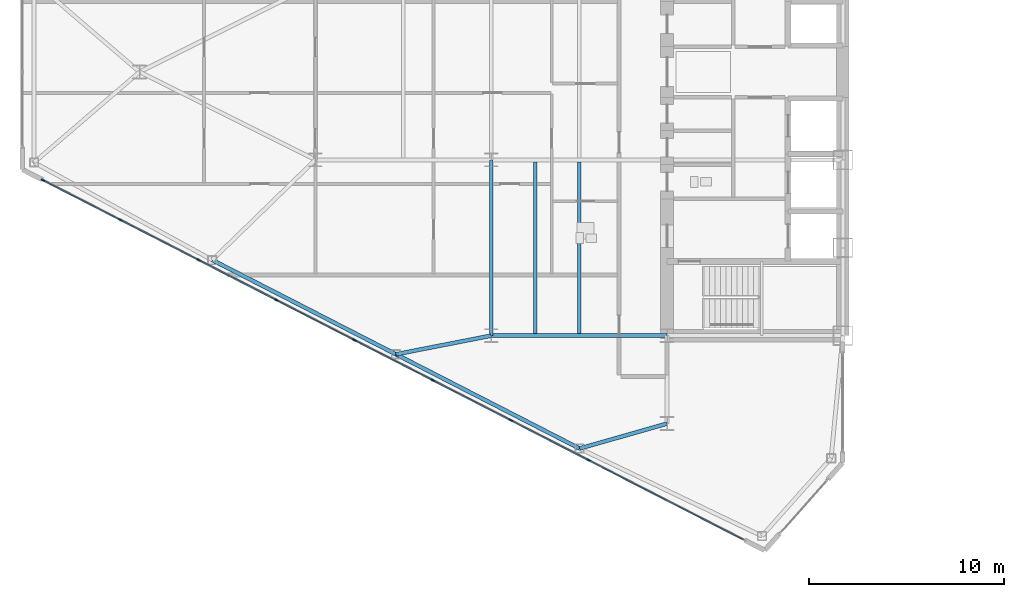
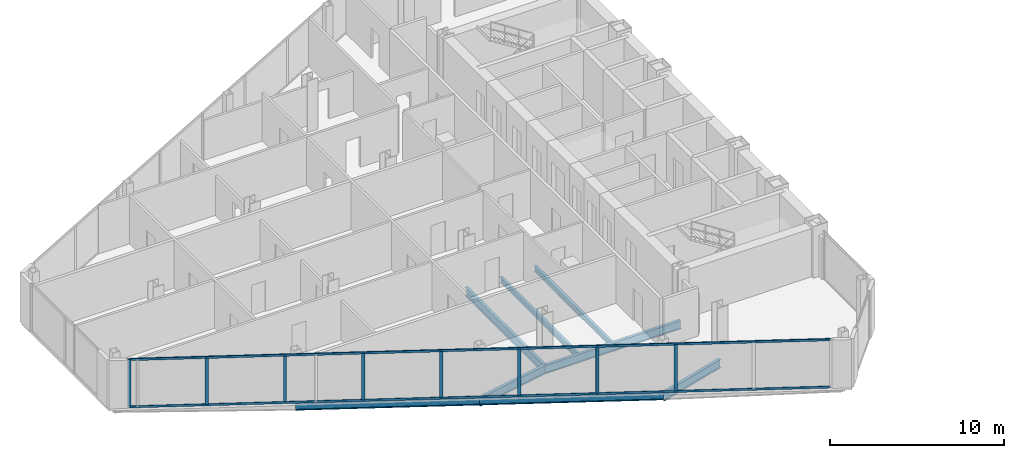
# One storey, part 3 of 24: 10 members, 8 beams, 1 element without a shape of its own.
"""IFC4 building model written with IfcOpenShell, lengths in metres."""

from ifc_helpers import new_model, si_unit, direction, frame, origin, origin_2d, place, context, subcontext, project, spatial, rectangle, i_section, extrude, source, transform, mapped, material, layer, layer_set, material_profile, profile_set, type_object, type_shapes, element, aggregate, save


model = new_model("IFC4")

# Units and contexts
model_context = context("Model", 3, precision=1e-05, world=origin(), true_north=direction((0.0, 1.0)))
body_context = subcontext(model_context, "Body", "Model", "MODEL_VIEW")
ifc_project = project(units=[si_unit("LENGTHUNIT", "METRE"), si_unit("AREAUNIT", "SQUARE_METRE"), si_unit("VOLUMEUNIT", "CUBIC_METRE"), si_unit("PLANEANGLEUNIT", "RADIAN"), si_unit("MASSUNIT", "GRAM", prefix="KILO")], contexts=[model_context])

# Site, building, storey
site_placement = place(None, origin())
site = spatial("IfcSite", under=ifc_project, at=site_placement, CompositionType="ELEMENT")
building_placement = place(site_placement, origin())
building = spatial("IfcBuilding", under=site, at=building_placement, Name="Seokmaru Belvedere", CompositionType="ELEMENT")
storey_placement = place(building_placement, frame((0.0, 0.0, 124.800048828125)))
storey = spatial("IfcBuildingStorey", under=building, at=storey_placement, Name="L33", CompositionType="ELEMENT", Elevation=124.800048828125)

# Beams
ifc_material_1 = material(Name="Steel SM355 (355 MPa)", Category="steel")
ifc_material_profile_1 = material_profile(ifc_material_1, i_section(OverallWidth=0.199951171875, OverallDepth=0.60009765625, WebThickness=0.010986328125, FlangeThickness=0.01708984375, at=origin_2d()), Name="H-600x200x11x17")
ifc_profile_set_1 = profile_set([ifc_material_profile_1], Name="Steel SM355 (355 MPa)")
beam_type_1 = type_object("IfcBeamType", Name="Primary Floor Girder H-600", PredefinedType="BEAM", material=ifc_profile_set_1)
shared_shape_1 = source(origin(), body_context, "Body", "SweptSolid", [
    extrude(i_section(OverallWidth=0.199951171875, OverallDepth=0.60009765625, WebThickness=0.010986328125, FlangeThickness=0.01708984375, at=origin_2d()), origin(), (0.0, 0.0, 1.0), 9.0),
])
for number, where, z_axis, x_axis, name in (
    (1, (-45.5, -13.5, -0.52001953125), (0.0, 1.0, 0.0), (-1.0, 0.0, 0.0), "L33 W Interior Grid Girder 1"),
    (2, (-45.5, -13.5, -0.52001953125), (1.0, 0.0, 0.0), (0.0, 1.0, 0.0), "L33 W Wing Primary Girder 1"),
):
    element("IfcBeam", number, at=place(storey_placement, frame(where, z_axis=z_axis, x_axis=x_axis)), inside=storey, type_object=beam_type_1, Name=name, PredefinedType="BEAM", context=body_context, shape_type="MappedRepresentation", body=[
        mapped(shared_shape_1, transform((0.0, 0.0, 0.0), scale=1.0)),
    ])
ifc_material_profile_2 = material_profile(ifc_material_1, i_section(OverallWidth=0.18505859375, OverallDepth=0.389892578125, WebThickness=0.008056640625, FlangeThickness=0.011962890625, at=origin_2d()), Name="H-390x185x8x12")
ifc_profile_set_2 = profile_set([ifc_material_profile_2], Name="Steel SM355 (355 MPa)")
beam_type_2 = type_object("IfcBeamType", Name="Secondary Floor Joist H-350", PredefinedType="JOIST", material=ifc_profile_set_2)
shared_shape_2 = source(origin(), body_context, "Body", "SweptSolid", [
    extrude(i_section(OverallWidth=0.18505859375, OverallDepth=0.389892578125, WebThickness=0.008056640625, FlangeThickness=0.011962890625, at=origin_2d()), origin(), (0.0, 0.0, 1.0), 8.7900390625),
])
type_shapes(beam_type_2, [shared_shape_2])
for number, where, z_axis, x_axis, name in (
    (3, (-43.25, -13.39501953125, -0.4150390625), (0.0, 1.0, 0.0), (-1.0, 0.0, 0.0), "L33 W Wing Inner Secondary Joist 1"),
    (4, (-41.0, -13.39501953125, -0.4150390625), (0.0, 1.0, 0.0), (-1.0, 0.0, 0.0), "L33 W Secondary Floor Joist 1"),
):
    element("IfcBeam", number, at=place(storey_placement, frame(where, z_axis=z_axis, x_axis=x_axis)), inside=storey, type_object=beam_type_2, Name=name, PredefinedType="JOIST", context=body_context, shape_type="MappedRepresentation", body=[
        mapped(shared_shape_2, transform((0.0, 0.0, 0.0), scale=1.0)),
    ])
ifc_material_profile_3 = material_profile(ifc_material_1, i_section(OverallWidth=0.199951171875, OverallDepth=0.5, WebThickness=0.010009765625, FlangeThickness=0.01611328125, at=origin_2d()), Name="H-500x200x10x16")
ifc_profile_set_3 = profile_set([ifc_material_profile_3], Name="Steel SM355 (355 MPa)")
beam_type_3 = type_object("IfcBeamType", Name="Perimeter Spandrel Beam H-500", PredefinedType="SPANDREL", material=ifc_profile_set_3)
shared_shape_3 = source(origin(), body_context, "Body", "SweptSolid", [
    extrude(i_section(OverallWidth=0.199951171875, OverallDepth=0.5, WebThickness=0.010009765625, FlangeThickness=0.01611328125, at=origin_2d()), origin(), (0.0, 0.0, 1.0), 10.56689453125),
])
type_shapes(beam_type_3, [shared_shape_3])
for number, where, z_axis, x_axis, name in (
    (5, (-40.975830078125, -19.277587890625, -0.469970703125), (-0.889701972758, 0.45654178305, 0.0), (-0.45654178305, -0.889701972758, 0.0), "L33 W Faceted Flank Spandrel S-2"),
    (6, (-50.377197265625, -14.453369140625, -0.469970703125), (-0.889692588006, 0.456560071455, 0.0), (-0.456560071455, -0.889692588006, 0.0), "L33 W Faceted Flank Spandrel S-3"),
):
    element("IfcBeam", number, at=place(storey_placement, frame(where, z_axis=z_axis, x_axis=x_axis)), inside=storey, type_object=beam_type_3, Name=name, PredefinedType="SPANDREL", context=body_context, shape_type="MappedRepresentation", body=[
        mapped(shared_shape_3, transform((0.0, 0.0, 0.0), scale=1.0)),
    ])
shared_shape_4 = source(origin(), body_context, "Body", "SweptSolid", [
    extrude(i_section(OverallWidth=0.199951171875, OverallDepth=0.60009765625, WebThickness=0.010986328125, FlangeThickness=0.01708984375, at=origin_2d()), origin(), (0.0, 0.0, 1.0), 4.654541015625),
])
beam_1_placement = place(storey_placement, frame((-40.975830078125, -19.277587890625, -0.52001953125), z_axis=(0.961593192625, 0.274478654721, 0.0), x_axis=(-0.274478654721, 0.961593192625, 0.0)))
element("IfcBeam", 7, at=beam_1_placement, inside=storey, type_object=beam_type_1, Name="L33 W Flank Radial Floor Girder S-1", PredefinedType="BEAM", context=body_context, shape_type="MappedRepresentation", body=[
    mapped(shared_shape_4, transform((0.0, 0.0, 0.0), scale=1.0)),
])
shared_shape_5 = source(origin(), body_context, "Body", "SweptSolid", [
    extrude(i_section(OverallWidth=0.199951171875, OverallDepth=0.60009765625, WebThickness=0.010986328125, FlangeThickness=0.01708984375, at=origin_2d()), origin(), (0.0, 0.0, 1.0), 4.969482421875),
])
type_shapes(beam_type_1, [shared_shape_1, shared_shape_4, shared_shape_5])
beam_2_placement = place(storey_placement, frame((-50.377197265625, -14.453369140625, -0.52001953125), z_axis=(0.98142544456, 0.19184393858, 0.0), x_axis=(-0.19184393858, 0.98142544456, 0.0)))
element("IfcBeam", 8, at=beam_2_placement, inside=storey, type_object=beam_type_1, Name="L33 W Flank Radial Floor Girder S-2", PredefinedType="BEAM", context=body_context, shape_type="MappedRepresentation", body=[
    mapped(shared_shape_5, transform((0.0, 0.0, 0.0), scale=1.0)),
])

# Curtain wall, members
ifc_material_2 = material(Name="Bronze Triple Insulating Glass", Category="glass")
ifc_layer = layer(ifc_material_2, 0.195068359375)
ifc_layer_set = layer_set([ifc_layer], Name="Bronze Triple Insulating Glass")
curtain_wall_type = type_object("IfcCurtainWallType", Name="Sky-Lobby and Mid-Rise Curtain Wall System CW-4", PredefinedType="NOTDEFINED", material=ifc_layer_set)
curtain_wall_placement = place(storey_placement, origin())
curtain_wall = element("IfcCurtainWall", 9, at=curtain_wall_placement, inside=storey, type_object=curtain_wall_type, Name="L33 Curtain Wall WF5", PredefinedType="NOTDEFINED")
ifc_material_3 = material(Name="Anodised Bronze Aluminium", Category="aluminium")
ifc_material_profile_4 = material_profile(ifc_material_3, rectangle(XDim=0.070068359375, YDim=0.195068359375, at=origin_2d()), Name="CW-M-70x195")
ifc_profile_set_4 = profile_set([ifc_material_profile_4], Name="Anodised Bronze Aluminium")
member_type_1 = type_object("IfcMemberType", Name="Bronze Unitised Mullion 70x195", PredefinedType="MULLION", material=ifc_profile_set_4)
shared_shape_6 = source(origin(), body_context, "Body", "SweptSolid", [
    extrude(rectangle(XDim=0.070068359375, YDim=0.195068359375, at=origin_2d()), origin(), (0.0, 0.0, 1.0), 3.3798828125),
])
member_1_placement = place(storey_placement, frame((-68.44580078125, -5.541015625, 0.0), z_axis=(0.0, 0.0, 1.0), x_axis=(0.456554528263, 0.889695432562, 0.0)))
member_1 = element("IfcMember", 10, at=member_1_placement, type_object=member_type_1, Name="CW:L33:WF5 Mullion 1", PredefinedType="MULLION", context=body_context, shape_type="MappedRepresentation", body=[
    mapped(shared_shape_6, transform((0.0, 0.0, 0.0), scale=1.0)),
])
shared_shape_7 = source(origin(), body_context, "Body", "SweptSolid", [
    extrude(rectangle(XDim=0.070068359375, YDim=0.195068359375, at=origin_2d()), origin(), (0.0, 0.0, 1.0), 3.25),
])
type_shapes(member_type_1, [shared_shape_6, shared_shape_7])
member_2_placement = place(storey_placement, frame((-64.48193359375, -7.574951171875, 0.06494140625), z_axis=(0.0, 0.0, 1.0), x_axis=(0.456554528263, 0.889695432562, 0.0)))
member_2 = element("IfcMember", 11, at=member_2_placement, type_object=member_type_1, Name="CW:L33:WF5 Mullion 2", PredefinedType="MULLION", context=body_context, shape_type="MappedRepresentation", body=[
    mapped(shared_shape_7, transform((0.0, 0.0, 0.0), scale=1.0)),
])
member_3_placement = place(storey_placement, frame((-60.4873046875, -9.625, 0.06494140625), z_axis=(0.0, 0.0, 1.0), x_axis=(0.456554528263, 0.889695432562, 0.0)))
member_3 = element("IfcMember", 12, at=member_3_placement, type_object=member_type_1, Name="CW:L33:WF5 Mullion 3", PredefinedType="MULLION", context=body_context, shape_type="MappedRepresentation", body=[
    mapped(shared_shape_7, transform((0.0, 0.0, 0.0), scale=1.0)),
])
member_4_placement = place(storey_placement, frame((-56.4921875, -11.675048828125, 0.06494140625), z_axis=(0.0, 0.0, 1.0), x_axis=(0.456554528263, 0.889695432562, 0.0)))
member_4 = element("IfcMember", 13, at=member_4_placement, type_object=member_type_1, Name="CW:L33:WF5 Mullion 4", PredefinedType="MULLION", context=body_context, shape_type="MappedRepresentation", body=[
    mapped(shared_shape_7, transform((0.0, 0.0, 0.0), scale=1.0)),
])
member_5_placement = place(storey_placement, frame((-52.497314453125, -13.72509765625, 0.06494140625), z_axis=(0.0, 0.0, 1.0), x_axis=(0.456554528263, 0.889695432562, 0.0)))
member_5 = element("IfcMember", 14, at=member_5_placement, type_object=member_type_1, Name="CW:L33:WF5 Mullion 5", PredefinedType="MULLION", context=body_context, shape_type="MappedRepresentation", body=[
    mapped(shared_shape_7, transform((0.0, 0.0, 0.0), scale=1.0)),
])
member_6_placement = place(storey_placement, frame((-48.502685546875, -15.77490234375, 0.06494140625), z_axis=(0.0, 0.0, 1.0), x_axis=(0.456554528263, 0.889695432562, 0.0)))
member_6 = element("IfcMember", 15, at=member_6_placement, type_object=member_type_1, Name="CW:L33:WF5 Mullion 6", PredefinedType="MULLION", context=body_context, shape_type="MappedRepresentation", body=[
    mapped(shared_shape_7, transform((0.0, 0.0, 0.0), scale=1.0)),
])
member_7_placement = place(storey_placement, frame((-44.5078125, -17.824951171875, 0.06494140625), z_axis=(0.0, 0.0, 1.0), x_axis=(0.456554528263, 0.889695432562, 0.0)))
member_7 = element("IfcMember", 16, at=member_7_placement, type_object=member_type_1, Name="CW:L33:WF5 Mullion 7", PredefinedType="MULLION", context=body_context, shape_type="MappedRepresentation", body=[
    mapped(shared_shape_7, transform((0.0, 0.0, 0.0), scale=1.0)),
])
member_8_placement = place(storey_placement, frame((-40.5126953125, -19.875, 0.06494140625), z_axis=(0.0, 0.0, 1.0), x_axis=(0.456554528263, 0.889695432562, 0.0)))
member_8 = element("IfcMember", 17, at=member_8_placement, type_object=member_type_1, Name="CW:L33:WF5 Mullion 8", PredefinedType="MULLION", context=body_context, shape_type="MappedRepresentation", body=[
    mapped(shared_shape_7, transform((0.0, 0.0, 0.0), scale=1.0)),
])
ifc_material_profile_5 = material_profile(ifc_material_3, rectangle(XDim=0.06494140625, YDim=0.14990234375, at=origin_2d()), Name="CW-T-65x150")
ifc_profile_set_5 = profile_set([ifc_material_profile_5], Name="Anodised Bronze Aluminium")
member_type_2 = type_object("IfcMemberType", Name="Bronze Unitised Transom 65x150", PredefinedType="USERDEFINED", material=ifc_profile_set_5)
shared_shape_8 = source(origin(), body_context, "Body", "SweptSolid", [
    extrude(rectangle(XDim=0.06494140625, YDim=0.14990234375, at=origin_2d()), origin(), (0.0, 0.0, 1.0), 40.271240234375),
])
type_shapes(member_type_2, [shared_shape_8])
member_9_placement = place(storey_placement, frame((-68.41455078125, -5.556884765625, 0.032470703125), z_axis=(0.889693089107, -0.456559094965, 0.0), x_axis=(0.456559094965, 0.889693089107, 0.0)))
member_9 = element("IfcMember", 18, at=member_9_placement, type_object=member_type_2, Name="CW:L33:WF5 Continuous Transom 1", ObjectType="TRANSOM", PredefinedType="USERDEFINED", context=body_context, shape_type="MappedRepresentation", body=[
    mapped(shared_shape_8, transform((0.0, 0.0, 0.0), scale=1.0)),
])
member_10_placement = place(storey_placement, frame((-68.41455078125, -5.556884765625, 3.347412109375), z_axis=(0.889693089107, -0.456559094965, 0.0), x_axis=(0.456559094965, 0.889693089107, 0.0)))
member_10 = element("IfcMember", 19, at=member_10_placement, type_object=member_type_2, Name="CW:L33:WF5 Continuous Transom 2", ObjectType="TRANSOM", PredefinedType="USERDEFINED", context=body_context, shape_type="MappedRepresentation", body=[
    mapped(shared_shape_8, transform((0.0, 0.0, 0.0), scale=1.0)),
])
aggregate(curtain_wall, [member_1, member_2, member_3, member_4, member_5, member_6, member_7, member_8, member_9, member_10])

save(model, "model.ifc")
